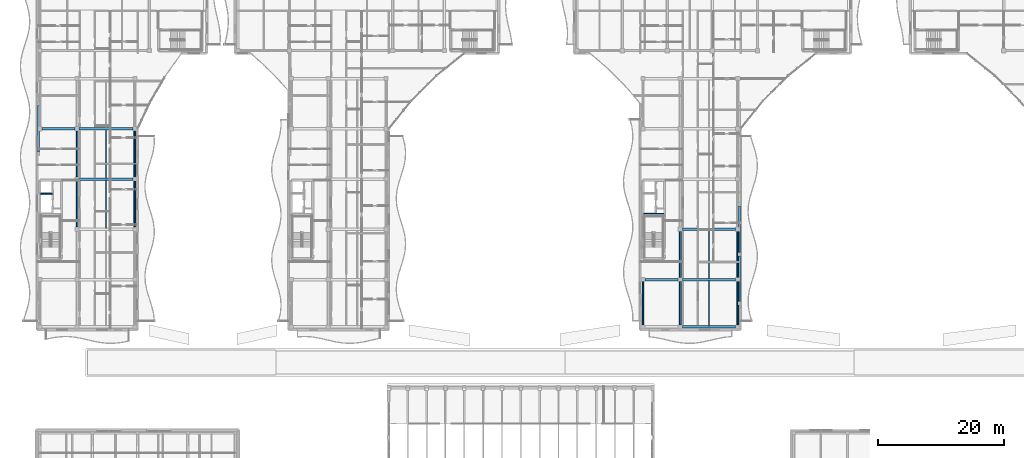
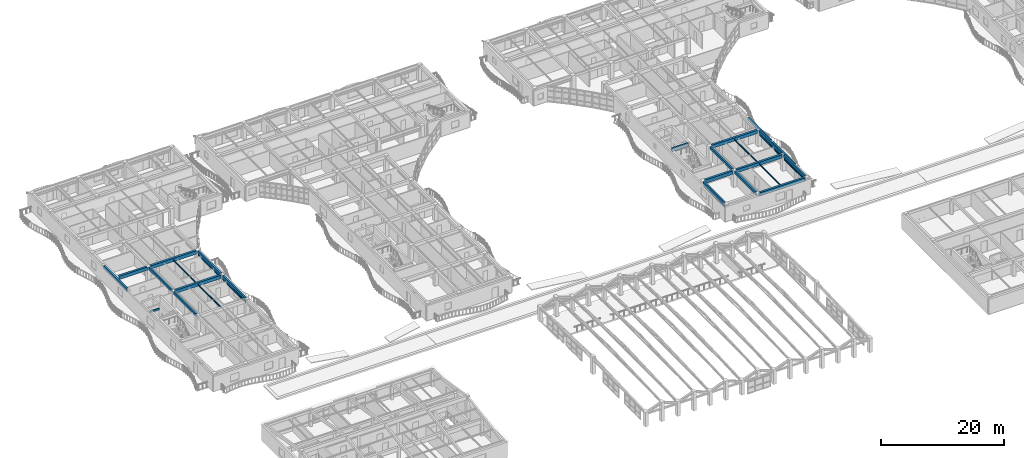
# One storey, part 39 of 128: 25 beams, 10 members.
"""IFC4 building model written with IfcOpenShell, lengths in metres."""

from ifc_helpers import new_model, si_unit, direction, frame, origin, origin_2d, place, context, subcontext, project, spatial, rectangle, hollow_rectangle, i_section, extrude, material, material_profile, profile_set, type_object, element, save


model = new_model("IFC4")

# Units and contexts
model_context = context("Model", 3, precision=1e-05, world=origin(), true_north=direction((0.0, 1.0)))
body_context = subcontext(model_context, "Body", "Model", "MODEL_VIEW")
ifc_project = project(units=[si_unit("LENGTHUNIT", "METRE"), si_unit("AREAUNIT", "SQUARE_METRE"), si_unit("VOLUMEUNIT", "CUBIC_METRE"), si_unit("PLANEANGLEUNIT", "RADIAN"), si_unit("MASSUNIT", "GRAM", prefix="KILO")], contexts=[model_context])

# Site, building, storey
site_placement = place(None, origin())
site = spatial("IfcSite", under=ifc_project, at=site_placement, CompositionType="ELEMENT")
building_placement = place(site_placement, origin())
building = spatial("IfcBuilding", under=site, at=building_placement, Name="Keldmere Railside Commons", CompositionType="ELEMENT")
storey_placement = place(building_placement, frame((0.0, 0.0, 4.159912109375)))
storey = spatial("IfcBuildingStorey", under=building, at=storey_placement, Name="L01", CompositionType="ELEMENT", Elevation=4.159912109375)

# Members
ifc_material_1 = material(Name="Steel F-36 (S355)", Category="steel")
ifc_material_profile_1 = material_profile(ifc_material_1, hollow_rectangle(XDim=0.14990234375, YDim=0.25, WallThickness=0.010009765625, at=origin_2d()), Name="RHS-250x150x10")
ifc_profile_set_1 = profile_set([ifc_material_profile_1], Name="Steel F-36 (S355)")
member_type_1 = type_object("IfcMemberType", Name="Balcony Continuous Planted Trough RHS250x150", PredefinedType="CHORD", material=ifc_profile_set_1)
for number, where, z_axis, x_axis, name in (
    (1, (23.550048828125, 72.324951171875, 2.4150390625), (0.0, 1.0, 0.0), (-1.0, 0.0, 0.0), "PLT-1 MEM-BPLT-0113"),
    (2, (23.550048828125, 80.324951171875, 2.4150390625), (0.0, 1.0, 0.0), (-1.0, 0.0, 0.0), "PLT-1 MEM-BPLT-0115"),
):
    element("IfcMember", number, at=place(storey_placement, frame(where, z_axis=z_axis, x_axis=x_axis)), inside=storey, type_object=member_type_1, Name=name, PredefinedType="CHORD", context=body_context, shape_type="SweptSolid", body=[
        extrude(hollow_rectangle(XDim=0.14990234375, YDim=0.25, WallThickness=0.010009765625, at=origin_2d()), origin(), (0.0, 0.0, 1.0), 7.35009765625),
    ])
for number, where, z_axis, x_axis, name in (
    (3, (104.449951171875, 56.800048828125, 2.4150390625), (0.0, 1.0, 0.0), (-1.0, 0.0, 0.0), "PLT-1 MEM-BPLT-0167"),
    (4, (119.550048828125, 56.800048828125, 2.4150390625), (0.0, 1.0, 0.0), (-1.0, 0.0, 0.0), "PLT-1 MEM-BPLT-0171"),
):
    element("IfcMember", number, at=place(storey_placement, frame(where, z_axis=z_axis, x_axis=x_axis)), inside=storey, type_object=member_type_1, Name=name, PredefinedType="CHORD", context=body_context, shape_type="SweptSolid", body=[
        extrude(hollow_rectangle(XDim=0.14990234375, YDim=0.25, WallThickness=0.010009765625, at=origin_2d()), origin(), (0.0, 0.0, 1.0), 6.849853515625),
    ])
member_1_placement = place(storey_placement, frame((119.550048828125, 64.35009765625, 2.4150390625), z_axis=(0.0, 1.0, 0.0), x_axis=(-1.0, 0.0, 0.0)))
element("IfcMember", 5, at=member_1_placement, inside=storey, type_object=member_type_1, Name="PLT-1 MEM-BPLT-0173", PredefinedType="CHORD", context=body_context, shape_type="SweptSolid", body=[
    extrude(hollow_rectangle(XDim=0.14990234375, YDim=0.25, WallThickness=0.010009765625, at=origin_2d()), origin(), (0.0, 0.0, 1.0), 7.2998046875),
])

# Beams
ifc_material_2 = material(Name="Concrete H-35 (C35/45)", Category="concrete")
ifc_material_profile_2 = material_profile(ifc_material_2, rectangle(XDim=0.300048828125, YDim=0.64990234375, at=origin_2d()), Name="RC-300x650")
ifc_profile_set_2 = profile_set([ifc_material_profile_2], Name="Concrete H-35 (C35/45)")
beam_type_1 = type_object("IfcBeamType", Name="Core Coupling RC Beam 300x650", PredefinedType="BEAM", material=ifc_profile_set_2)
beam_1_placement = place(storey_placement, frame((104.590087890625, 74.39990234375, 2.875), z_axis=(1.0, 0.0, 0.0), x_axis=(0.0, 1.0, 0.0)))
element("IfcBeam", 6, at=beam_1_placement, inside=storey, type_object=beam_type_1, Name="CB-1 BM-L01-2557", PredefinedType="BEAM", context=body_context, shape_type="SweptSolid", body=[
    extrude(rectangle(XDim=0.300048828125, YDim=0.64990234375, at=origin_2d()), origin(), (0.0, 0.0, 1.0), 3.18994140625),
])
ifc_material_3 = material(Name="Concrete H-30 (C30/37)", Category="concrete")
ifc_material_profile_3 = material_profile(ifc_material_3, rectangle(XDim=0.25, YDim=0.35009765625, at=origin_2d()), Name="RC-250x350")
ifc_profile_set_3 = profile_set([ifc_material_profile_3], Name="Concrete H-30 (C30/37)")
beam_type_2 = type_object("IfcBeamType", Name="Masonry Opening RC Lintel 250x350", PredefinedType="LINTEL", material=ifc_profile_set_3)
beam_2_placement = place(storey_placement, frame((8.590087890625, 77.60009765625, 2.425048828125), z_axis=(1.0, 0.0, 0.0), x_axis=(0.0, 1.0, 0.0)))
element("IfcBeam", 7, at=beam_2_placement, inside=storey, type_object=beam_type_2, Name="LNT-1 BM-L01-2542", PredefinedType="LINTEL", context=body_context, shape_type="SweptSolid", body=[
    extrude(rectangle(XDim=0.25, YDim=0.35009765625, at=origin_2d()), origin(), (0.0, 0.0, 1.0), 1.809814453125),
])
ifc_material_profile_4 = material_profile(ifc_material_1, i_section(OverallWidth=0.1201171875, OverallDepth=0.239990234375, WebThickness=0.006103515625, FlangeThickness=0.009765625, at=origin_2d()), Name="IPE-240")
ifc_profile_set_4 = profile_set([ifc_material_profile_4], Name="Steel F-36 (S355)")
beam_type_3 = type_object("IfcBeamType", Name="Nursery & Mezzanine Steel Joist IPE240", PredefinedType="JOIST", material=ifc_profile_set_4)
beam_3_placement = place(storey_placement, frame((114.949951171875, 56.64990234375, 2.81005859375), z_axis=(0.0, 1.0, 0.0), x_axis=(-1.0, 0.0, 0.0)))
element("IfcBeam", 8, at=beam_3_placement, inside=storey, type_object=beam_type_3, Name="JST-2 BM-L01-1002", PredefinedType="JOIST", context=body_context, shape_type="SweptSolid", body=[
    extrude(i_section(OverallWidth=0.1201171875, OverallDepth=0.239990234375, WebThickness=0.006103515625, FlangeThickness=0.009765625, at=origin_2d()), origin(), (0.0, 0.0, 1.0), 7.150146484375),
])
for number, where, z_axis, x_axis, name in (
    (9, (114.949951171875, 64.199951171875, 2.81005859375), (0.0, 1.0, 0.0), (-1.0, 0.0, 0.0), "JST-2 BM-L01-1006"),
    (10, (18.949951171875, 72.199951171875, 2.81005859375), (0.0, 1.0, 0.0), (-1.0, 0.0, 0.0), "JST-2 BM-L01-1007"),
    (11, (18.949951171875, 80.199951171875, 2.81005859375), (0.0, 1.0, 0.0), (-1.0, 0.0, 0.0), "JST-2 BM-L01-1010"),
):
    element("IfcBeam", number, at=place(storey_placement, frame(where, z_axis=z_axis, x_axis=x_axis)), inside=storey, type_object=beam_type_3, Name=name, PredefinedType="JOIST", context=body_context, shape_type="SweptSolid", body=[
        extrude(i_section(OverallWidth=0.1201171875, OverallDepth=0.239990234375, WebThickness=0.006103515625, FlangeThickness=0.009765625, at=origin_2d()), origin(), (0.0, 0.0, 1.0), 7.60009765625),
    ])
ifc_material_profile_5 = material_profile(ifc_material_3, rectangle(XDim=0.35009765625, YDim=0.60009765625, at=origin_2d()), Name="RC-350x600")
ifc_profile_set_5 = profile_set([ifc_material_profile_5], Name="Concrete H-30 (C30/37)")
beam_type_4 = type_object("IfcBeamType", Name="Residential Chord RC Beam 350x600", PredefinedType="BEAM", material=ifc_profile_set_5)
beam_4_placement = place(storey_placement, frame((8.219970703125, 84.27490234375, 2.900146484375), z_axis=(0.0, 1.0, 0.0), x_axis=(-1.0, 0.0, 0.0)))
element("IfcBeam", 12, at=beam_4_placement, inside=storey, type_object=beam_type_4, Name="BG-4 BM-L01-0867", PredefinedType="BEAM", context=body_context, shape_type="SweptSolid", body=[
    extrude(rectangle(XDim=0.35009765625, YDim=0.60009765625, at=origin_2d()), origin(), (0.0, 0.0, 1.0), 7.4501953125),
])
ifc_material_profile_6 = material_profile(ifc_material_3, rectangle(XDim=0.39990234375, YDim=0.64990234375, at=origin_2d()), Name="RC-400x650")
ifc_profile_set_6 = profile_set([ifc_material_profile_6], Name="Concrete H-30 (C30/37)")
beam_type_5 = type_object("IfcBeamType", Name="Residential Spine RC Girder 400x650", PredefinedType="BEAM", material=ifc_profile_set_6)
beam_5_placement = place(storey_placement, frame((110.699951171875, 56.449951171875, 2.875), z_axis=(1.0, 0.0, 0.0), x_axis=(0.0, 1.0, 0.0)))
element("IfcBeam", 13, at=beam_5_placement, inside=storey, type_object=beam_type_5, Name="BG-3 BM-L01-0784", PredefinedType="BEAM", context=body_context, shape_type="SweptSolid", body=[
    extrude(rectangle(XDim=0.39990234375, YDim=0.64990234375, at=origin_2d()), origin(), (0.0, 0.0, 1.0), 8.5),
])
beam_6_placement = place(storey_placement, frame((104.800048828125, 64.0, 2.875), z_axis=(1.0, 0.0, 0.0), x_axis=(0.0, 1.0, 0.0)))
element("IfcBeam", 14, at=beam_6_placement, inside=storey, type_object=beam_type_5, Name="BG-3 BM-L01-0791", PredefinedType="BEAM", context=body_context, shape_type="SweptSolid", body=[
    extrude(rectangle(XDim=0.39990234375, YDim=0.64990234375, at=origin_2d()), origin(), (0.0, 0.0, 1.0), 5.199951171875),
])
for number, where, z_axis, x_axis, name in (
    (15, (110.699951171875, 64.0, 2.875), (1.0, 0.0, 0.0), (0.0, 1.0, 0.0), "BG-3 BM-L01-0792"),
    (16, (110.699951171875, 72.0, 2.875), (1.0, 0.0, 0.0), (0.0, 1.0, 0.0), "BG-3 BM-L01-0797"),
):
    element("IfcBeam", number, at=place(storey_placement, frame(where, z_axis=z_axis, x_axis=x_axis)), inside=storey, type_object=beam_type_5, Name=name, PredefinedType="BEAM", context=body_context, shape_type="SweptSolid", body=[
        extrude(rectangle(XDim=0.39990234375, YDim=0.64990234375, at=origin_2d()), origin(), (0.0, 0.0, 1.0), 8.5),
    ])
beam_7_placement = place(storey_placement, frame((14.675048828125, 80.0, 2.875), z_axis=(1.0, 0.0, 0.0), x_axis=(0.0, 1.0, 0.0)))
element("IfcBeam", 17, at=beam_7_placement, inside=storey, type_object=beam_type_5, Name="BG-3 BM-L01-0799", PredefinedType="BEAM", context=body_context, shape_type="SweptSolid", body=[
    extrude(rectangle(XDim=0.39990234375, YDim=0.64990234375, at=origin_2d()), origin(), (0.0, 0.0, 1.0), 8.550048828125),
])
beam_8_placement = place(storey_placement, frame((8.77490234375, 88.0, 2.875), z_axis=(1.0, 0.0, 0.0), x_axis=(0.0, 1.0, 0.0)))
element("IfcBeam", 18, at=beam_8_placement, inside=storey, type_object=beam_type_5, Name="BG-3 BM-L01-0803", PredefinedType="BEAM", context=body_context, shape_type="SweptSolid", body=[
    extrude(rectangle(XDim=0.39990234375, YDim=0.64990234375, at=origin_2d()), origin(), (0.0, 0.0, 1.0), 5.25),
])
beam_9_placement = place(storey_placement, frame((14.675048828125, 88.0, 2.875), z_axis=(1.0, 0.0, 0.0), x_axis=(0.0, 1.0, 0.0)))
element("IfcBeam", 19, at=beam_9_placement, inside=storey, type_object=beam_type_5, Name="BG-3 BM-L01-0804", PredefinedType="BEAM", context=body_context, shape_type="SweptSolid", body=[
    extrude(rectangle(XDim=0.39990234375, YDim=0.64990234375, at=origin_2d()), origin(), (0.0, 0.0, 1.0), 8.550048828125),
])
ifc_material_profile_7 = material_profile(ifc_material_3, rectangle(XDim=0.300048828125, YDim=0.5, at=origin_2d()), Name="RC-300x500")
ifc_profile_set_7 = profile_set([ifc_material_profile_7], Name="Concrete H-30 (C30/37)")
beam_type_6 = type_object("IfcBeamType", Name="Secondary Frame RC Beam 300x500", PredefinedType="BEAM", material=ifc_profile_set_7)
for number, where, z_axis, x_axis, name in (
    (20, (14.35009765625, 72.324951171875, 2.9501953125), (0.0, 1.0, 0.0), (-1.0, 0.0, 0.0), "BG-5 BM-L01-0875"),
    (21, (14.35009765625, 80.324951171875, 2.9501953125), (0.0, 1.0, 0.0), (-1.0, 0.0, 0.0), "BG-5 BM-L01-0876"),
    (22, (23.550048828125, 72.324951171875, 2.9501953125), (0.0, 1.0, 0.0), (-1.0, 0.0, 0.0), "BG-5 BM-L01-0881"),
    (23, (23.550048828125, 80.324951171875, 2.9501953125), (0.0, 1.0, 0.0), (-1.0, 0.0, 0.0), "BG-5 BM-L01-0882"),
):
    element("IfcBeam", number, at=place(storey_placement, frame(where, z_axis=z_axis, x_axis=x_axis)), inside=storey, type_object=beam_type_6, Name=name, PredefinedType="BEAM", context=body_context, shape_type="SweptSolid", body=[
        extrude(rectangle(XDim=0.300048828125, YDim=0.5, at=origin_2d()), origin(), (0.0, 0.0, 1.0), 7.35009765625),
    ])
for number, where, z_axis, x_axis, name in (
    (24, (104.449951171875, 56.800048828125, 2.9501953125), (0.0, 1.0, 0.0), (-1.0, 0.0, 0.0), "BG-5 BM-L01-0915"),
    (25, (110.35009765625, 56.800048828125, 2.9501953125), (0.0, 1.0, 0.0), (-1.0, 0.0, 0.0), "BG-5 BM-L01-0919"),
):
    element("IfcBeam", number, at=place(storey_placement, frame(where, z_axis=z_axis, x_axis=x_axis)), inside=storey, type_object=beam_type_6, Name=name, PredefinedType="BEAM", context=body_context, shape_type="SweptSolid", body=[
        extrude(rectangle(XDim=0.300048828125, YDim=0.5, at=origin_2d()), origin(), (0.0, 0.0, 1.0), 6.849853515625),
    ])
beam_10_placement = place(storey_placement, frame((110.35009765625, 64.35009765625, 2.9501953125), z_axis=(0.0, 1.0, 0.0), x_axis=(-1.0, 0.0, 0.0)))
element("IfcBeam", 26, at=beam_10_placement, inside=storey, type_object=beam_type_6, Name="BG-5 BM-L01-0920", PredefinedType="BEAM", context=body_context, shape_type="SweptSolid", body=[
    extrude(rectangle(XDim=0.300048828125, YDim=0.5, at=origin_2d()), origin(), (0.0, 0.0, 1.0), 7.2998046875),
])
beam_11_placement = place(storey_placement, frame((119.550048828125, 56.800048828125, 2.9501953125), z_axis=(0.0, 1.0, 0.0), x_axis=(-1.0, 0.0, 0.0)))
element("IfcBeam", 27, at=beam_11_placement, inside=storey, type_object=beam_type_6, Name="BG-5 BM-L01-0926", PredefinedType="BEAM", context=body_context, shape_type="SweptSolid", body=[
    extrude(rectangle(XDim=0.300048828125, YDim=0.5, at=origin_2d()), origin(), (0.0, 0.0, 1.0), 6.849853515625),
])
beam_12_placement = place(storey_placement, frame((119.550048828125, 64.35009765625, 2.9501953125), z_axis=(0.0, 1.0, 0.0), x_axis=(-1.0, 0.0, 0.0)))
element("IfcBeam", 28, at=beam_12_placement, inside=storey, type_object=beam_type_6, Name="BG-5 BM-L01-0927", PredefinedType="BEAM", context=body_context, shape_type="SweptSolid", body=[
    extrude(rectangle(XDim=0.300048828125, YDim=0.5, at=origin_2d()), origin(), (0.0, 0.0, 1.0), 7.2998046875),
])
beam_13_placement = place(storey_placement, frame((119.780029296875, 60.47509765625, 2.9501953125), z_axis=(0.0, 1.0, 0.0), x_axis=(-1.0, 0.0, 0.0)))
element("IfcBeam", 29, at=beam_13_placement, inside=storey, type_object=beam_type_6, Name="BG-5 BM-L01-0931", PredefinedType="BEAM", context=body_context, shape_type="SweptSolid", body=[
    extrude(rectangle(XDim=0.300048828125, YDim=0.5, at=origin_2d()), origin(), (0.0, 0.0, 1.0), 7.25),
])
beam_14_placement = place(storey_placement, frame((119.780029296875, 68.27490234375, 2.9501953125), z_axis=(0.0, 1.0, 0.0), x_axis=(-1.0, 0.0, 0.0)))
element("IfcBeam", 30, at=beam_14_placement, inside=storey, type_object=beam_type_6, Name="BG-5 BM-L01-0932", PredefinedType="BEAM", context=body_context, shape_type="SweptSolid", body=[
    extrude(rectangle(XDim=0.300048828125, YDim=0.5, at=origin_2d()), origin(), (0.0, 0.0, 1.0), 7.4501953125),
])

# Members
ifc_material_profile_8 = material_profile(ifc_material_1, hollow_rectangle(XDim=0.10009765625, YDim=0.159912109375, WallThickness=0.008056640625, at=origin_2d()), Name="RHS-160x100x8")
ifc_profile_set_8 = profile_set([ifc_material_profile_8], Name="Steel F-36 (S355)")
member_type_2 = type_object("IfcMemberType", Name="Solar Brise-Soleil Louvre Fin RHS160x100", PredefinedType="STRUT", material=ifc_profile_set_8)
for number, where, z_axis, x_axis, name in (
    (31, (23.550048828125, 72.324951171875, 2.2001953125), (0.0, 1.0, 0.0), (-1.0, 0.0, 0.0), "BSF-1 MEM-BSF-0114"),
    (32, (23.550048828125, 80.324951171875, 2.2001953125), (0.0, 1.0, 0.0), (-1.0, 0.0, 0.0), "BSF-1 MEM-BSF-0116"),
):
    element("IfcMember", number, at=place(storey_placement, frame(where, z_axis=z_axis, x_axis=x_axis)), inside=storey, type_object=member_type_2, Name=name, PredefinedType="STRUT", context=body_context, shape_type="SweptSolid", body=[
        extrude(hollow_rectangle(XDim=0.10009765625, YDim=0.159912109375, WallThickness=0.008056640625, at=origin_2d()), origin(), (0.0, 0.0, 1.0), 7.35009765625),
    ])
for number, where, z_axis, x_axis, name in (
    (33, (104.449951171875, 56.800048828125, 2.2001953125), (0.0, 1.0, 0.0), (-1.0, 0.0, 0.0), "BSF-1 MEM-BSF-0168"),
    (34, (119.550048828125, 56.800048828125, 2.2001953125), (0.0, 1.0, 0.0), (-1.0, 0.0, 0.0), "BSF-1 MEM-BSF-0172"),
):
    element("IfcMember", number, at=place(storey_placement, frame(where, z_axis=z_axis, x_axis=x_axis)), inside=storey, type_object=member_type_2, Name=name, PredefinedType="STRUT", context=body_context, shape_type="SweptSolid", body=[
        extrude(hollow_rectangle(XDim=0.10009765625, YDim=0.159912109375, WallThickness=0.008056640625, at=origin_2d()), origin(), (0.0, 0.0, 1.0), 6.849853515625),
    ])
member_2_placement = place(storey_placement, frame((119.550048828125, 64.35009765625, 2.2001953125), z_axis=(0.0, 1.0, 0.0), x_axis=(-1.0, 0.0, 0.0)))
element("IfcMember", 35, at=member_2_placement, inside=storey, type_object=member_type_2, Name="BSF-1 MEM-BSF-0174", PredefinedType="STRUT", context=body_context, shape_type="SweptSolid", body=[
    extrude(hollow_rectangle(XDim=0.10009765625, YDim=0.159912109375, WallThickness=0.008056640625, at=origin_2d()), origin(), (0.0, 0.0, 1.0), 7.2998046875),
])

save(model, "model.ifc")
